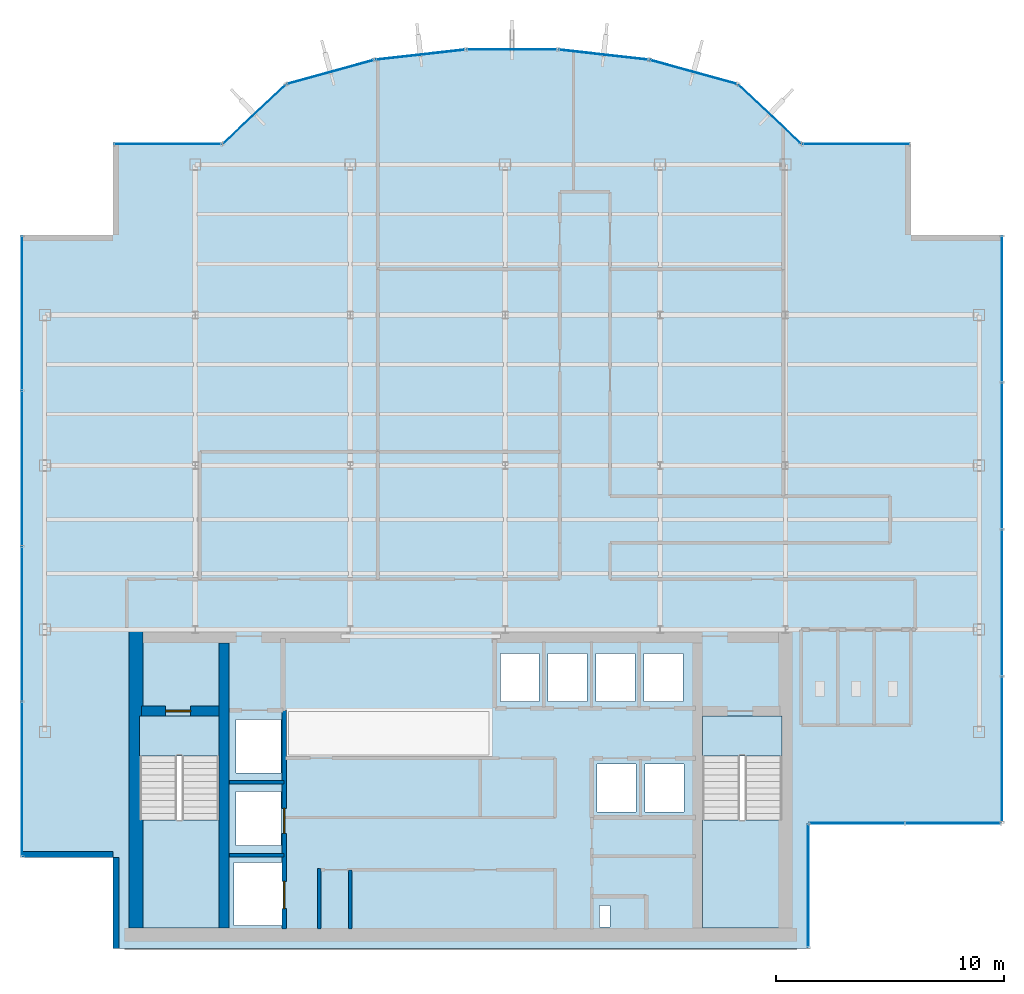
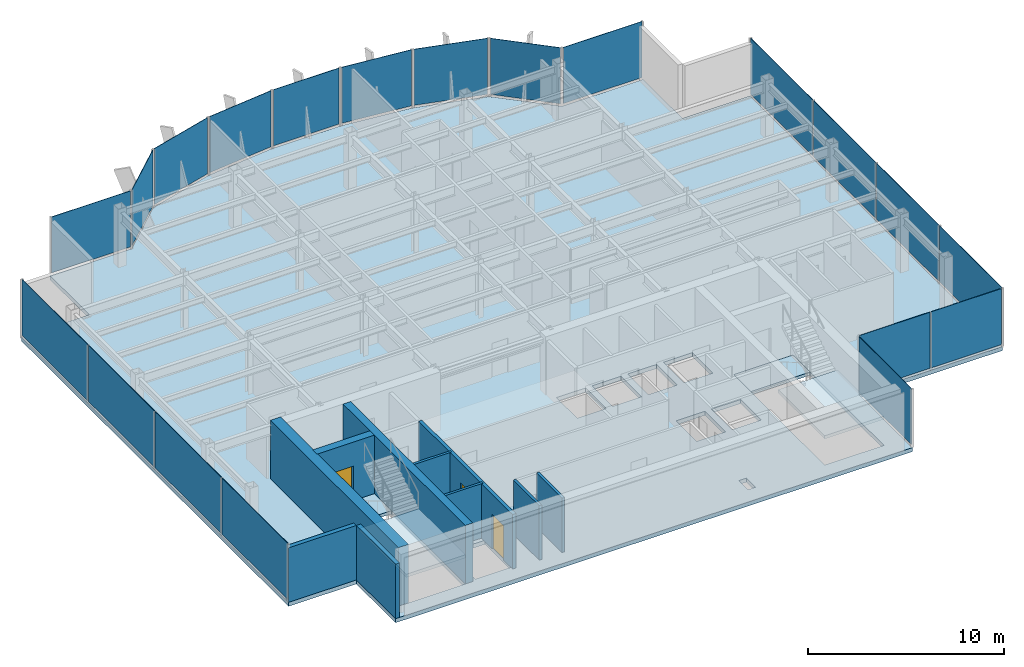
# One storey, part 16 of 22: 20 plates, 10 walls, 5 slabs, 3 doors, 3 openings, 15 elements without a shape of their own.
"""IFC4 building model written with IfcOpenShell, lengths in metres."""

from ifc_helpers import new_model, si_unit, derived_unit, direction, frame, frame_2d, origin, origin_2d, place, context, subcontext, project, spatial, polyline, rectangle, outline, extrude, source, transform, mapped, material, layer, layer_set, type_object, element, fill, aggregate, save


model = new_model("IFC4")

# Units and contexts
model_context = context("Model", 3, precision=1e-05, world=origin(), true_north=direction((0.0, 1.0)))
body_context = subcontext(model_context, "Body", "Model", "MODEL_VIEW")
ifc_project = project(units=[si_unit("LENGTHUNIT", "METRE"), si_unit("AREAUNIT", "SQUARE_METRE"), si_unit("VOLUMEUNIT", "CUBIC_METRE"), si_unit("PLANEANGLEUNIT", "RADIAN"), si_unit("MASSUNIT", "GRAM", prefix="KILO"), derived_unit("THERMALTRANSMITTANCEUNIT", [(si_unit("POWERUNIT", "WATT"), 1), (si_unit("LENGTHUNIT", "METRE"), -2), (si_unit("THERMODYNAMICTEMPERATUREUNIT", "KELVIN"), -1)])], contexts=[model_context])

# Site, building, storey
site_placement = place(None, origin())
site = spatial("IfcSite", under=ifc_project, at=site_placement, CompositionType="ELEMENT")
building_placement = place(site_placement, origin())
building = spatial("IfcBuilding", under=site, at=building_placement, Name="Skarnbrae Concourse Arena and Tower", CompositionType="ELEMENT")
storey_placement = place(building_placement, frame((0.0, 0.0, 195.89990234375)))
storey = spatial("IfcBuildingStorey", under=building, at=storey_placement, Name="L50", CompositionType="ELEMENT", Elevation=195.89990234375)

# Stair, slab
ifc_material_1 = material(Name="Concrete 40 MPa (C40/50)", Category="concrete")
stair_type = type_object("IfcStairType", Name="STAIR-DOGLEG-1650", PredefinedType="HALF_TURN_STAIR", material=ifc_material_1)
stair_1_placement = place(storey_placement, origin())
stair_1 = element("IfcStair", 1, at=stair_1_placement, inside=storey, type_object=stair_type, Name="L50 Protected Exit Stair ST-1", PredefinedType="HALF_TURN_STAIR")
ifc_layer_1 = layer(ifc_material_1, 0.199951171875)
ifc_layer_set_1 = layer_set([ifc_layer_1], Name="Concrete 40 MPa (C40/50)")
slab_type_1 = type_object("IfcSlabType", Name="SLAB-LANDING-200", PredefinedType="LANDING", material=ifc_layer_set_1)
slab_1_placement = place(storey_placement, frame((0.0, 0.0, 1.625)))
slab_1 = element("IfcSlab", 2, at=slab_1_placement, type_object=slab_type_1, Name="ST-1 landing 1", PredefinedType="LANDING", context=body_context, shape_type="SweptSolid", body=[
    extrude(outline(polyline([(5.14990234375, 5.64990234375), (5.14990234375, 0.89990234375), (8.64990234375, 0.89990234375), (8.64990234375, 5.64990234375), (5.14990234375, 5.64990234375)])), origin(), (0.0, 0.0, 1.0), 0.2001953125),
])
aggregate(stair_1, [slab_1])

stair_2_placement = place(storey_placement, origin())
stair_2 = element("IfcStair", 3, at=stair_2_placement, inside=storey, type_object=stair_type, Name="L50 Protected Exit Stair ST-2", PredefinedType="HALF_TURN_STAIR")
slab_2_placement = place(storey_placement, frame((0.0, 0.0, 1.625)))
slab_2 = element("IfcSlab", 4, at=slab_2_placement, type_object=slab_type_1, Name="ST-2 landing 1", PredefinedType="LANDING", context=body_context, shape_type="SweptSolid", body=[
    extrude(outline(polyline([(29.85009765625, 5.64990234375), (29.85009765625, 0.89990234375), (33.35009765625, 0.89990234375), (33.35009765625, 5.64990234375), (29.85009765625, 5.64990234375)])), origin(), (0.0, 0.0, 1.0), 0.2001953125),
])
aggregate(stair_2, [slab_2])

# Slabs
slab_3_placement = place(storey_placement, frame((0.0, 0.0, -0.199951171875)))
element("IfcSlab", 5, at=slab_3_placement, inside=storey, type_object=slab_type_1, Name="L50 Core stair ST1 floor landing", PredefinedType="LANDING", context=body_context, shape_type="SweptSolid", body=[
    extrude(outline(polyline([(5.14990234375, 10.199951171875), (5.14990234375, 8.449951171875), (8.64990234375, 8.449951171875), (8.64990234375, 10.199951171875), (5.14990234375, 10.199951171875)])), origin(), (0.0, 0.0, 1.0), 0.199951171875),
])
slab_4_placement = place(storey_placement, frame((0.0, 0.0, -0.199951171875)))
element("IfcSlab", 6, at=slab_4_placement, inside=storey, type_object=slab_type_1, Name="L50 Core stair ST2 floor landing", PredefinedType="LANDING", context=body_context, shape_type="SweptSolid", body=[
    extrude(outline(polyline([(29.85009765625, 10.199951171875), (29.85009765625, 8.449951171875), (33.35009765625, 8.449951171875), (33.35009765625, 10.199951171875), (29.85009765625, 10.199951171875)])), origin(), (0.0, 0.0, 1.0), 0.199951171875),
])
ifc_layer_2 = layer(ifc_material_1, 0.25)
ifc_layer_set_2 = layer_set([ifc_layer_2], Name="Concrete 40 MPa (C40/50)")
slab_type_2 = type_object("IfcSlabType", Name="SLAB-TOWER-250", PredefinedType="FLOOR", material=ifc_layer_set_2)
slab_5_placement = place(storey_placement, frame((0.0, 0.0, -0.25)))
element("IfcSlab", 7, at=slab_5_placement, inside=storey, type_object=slab_type_2, Name="L50 Structural floor slab", PredefinedType="FLOOR", context=body_context, shape_type="SweptSolid", body=[
    extrude(outline(polyline([(4.0, 0.0), (34.5, 0.0), (34.5, 5.5), (43.0, 5.5), (43.0, 31.300048828125), (39.0, 31.300048828125), (39.0, 35.300048828125), (34.199951171875, 35.300048828125), (31.40966796875, 37.9267578125), (27.52587890625, 38.9970703125), (23.51708984375, 39.44677734375), (19.48291015625, 39.44677734375), (15.47412109375, 38.9970703125), (11.59033203125, 37.9267578125), (8.800048828125, 35.300048828125), (4.0, 35.300048828125), (4.0, 31.300048828125), (0.0, 31.300048828125), (0.0, 4.0), (4.0, 4.0), (4.0, 0.0)]), holes=[polyline([(9.294921875, 1.02001953125), (9.294921875, 3.780029296875), (11.455078125, 3.780029296875), (11.455078125, 1.02001953125), (9.294921875, 1.02001953125)]), polyline([(8.64990234375, 10.199951171875), (8.64990234375, 0.89990234375), (5.14990234375, 0.89990234375), (5.14990234375, 10.199951171875), (8.64990234375, 10.199951171875)]), polyline([(9.39501953125, 6.8798828125), (11.35498046875, 6.8798828125), (11.35498046875, 4.52001953125), (9.39501953125, 4.52001953125), (9.39501953125, 6.8798828125)]), polyline([(9.39501953125, 7.695068359375), (9.39501953125, 10.054931640625), (11.35498046875, 10.054931640625), (11.35498046875, 7.695068359375), (9.39501953125, 7.695068359375)]), polyline([(20.985107421875, 12.955078125), (22.695068359375, 12.955078125), (22.695068359375, 10.844970703125), (20.985107421875, 10.844970703125), (20.985107421875, 12.955078125)]), polyline([(23.0849609375, 12.955078125), (24.794921875, 12.955078125), (24.794921875, 10.844970703125), (23.0849609375, 10.844970703125), (23.0849609375, 12.955078125)]), polyline([(25.35009765625, 0.949951171875), (25.35009765625, 1.889892578125), (25.800048828125, 1.889892578125), (25.800048828125, 0.949951171875), (25.35009765625, 0.949951171875)]), polyline([(33.35009765625, 10.199951171875), (33.35009765625, 0.89990234375), (29.85009765625, 0.89990234375), (29.85009765625, 10.199951171875), (33.35009765625, 10.199951171875)]), polyline([(25.235107421875, 8.10498046875), (26.945068359375, 8.10498046875), (26.945068359375, 5.9951171875), (25.235107421875, 5.9951171875), (25.235107421875, 8.10498046875)]), polyline([(27.3349609375, 5.9951171875), (27.3349609375, 8.10498046875), (29.044921875, 8.10498046875), (29.044921875, 5.9951171875), (27.3349609375, 5.9951171875)]), polyline([(25.18505859375, 12.955078125), (26.89501953125, 12.955078125), (26.89501953125, 10.844970703125), (25.18505859375, 10.844970703125), (25.18505859375, 12.955078125)]), polyline([(27.284912109375, 12.955078125), (28.9951171875, 12.955078125), (28.9951171875, 10.844970703125), (27.284912109375, 10.844970703125), (27.284912109375, 12.955078125)])]), origin(), (0.0, 0.0, 1.0), 0.25),
])

# Curtain wall, plate
ifc_material_2 = material(Name="Bronze anodised aluminium 6063-T6", Category="aluminium")
curtain_wall_type = type_object("IfcCurtainWallType", Name="CW-SYS-05-HIGHZONE", PredefinedType="USERDEFINED", material=ifc_material_2)
curtain_wall_1_placement = place(storey_placement, origin())
curtain_wall_1 = element("IfcCurtainWall", 8, at=curtain_wall_1_placement, inside=storey, type_object=curtain_wall_type, Name="L50 Unitised curtain wall CW-L50-E02", ObjectType="UNITISED CURTAIN WALL", PredefinedType="USERDEFINED")
ifc_material_3 = material(Name="Low-E triple insulating glass", Category="glass")
ifc_layer_3 = layer(ifc_material_3, 0.030029296875)
ifc_layer_set_3 = layer_set([ifc_layer_3], Name="Low-E triple insulating glass")
plate_type = type_object("IfcPlateType", Name="CWP-CW-05", PredefinedType="CURTAIN_PANEL", material=ifc_layer_set_3)
shared_shape_1 = source(origin(), body_context, "Body", "SweptSolid", [
    extrude(rectangle(XDim=5.35009765625, YDim=0.030029296875, at=origin_2d()), origin(), (0.0, 0.0, 1.0), 3.5),
])
plate_1_placement = place(storey_placement, frame((34.5, 2.75, 0.150146484375), z_axis=(0.0, 0.0, 1.0), x_axis=(0.0, 1.0, 0.0)))
plate_1 = element("IfcPlate", 9, at=plate_1_placement, type_object=plate_type, Name="CW-L50-E02 Low-E Glazing Panel 1", PredefinedType="CURTAIN_PANEL", context=body_context, shape_type="MappedRepresentation", body=[
    mapped(shared_shape_1, transform((0.0, 0.0, 0.0))),
])
aggregate(curtain_wall_1, [plate_1])

# Curtain wall, plates
curtain_wall_2_placement = place(storey_placement, origin())
curtain_wall_2 = element("IfcCurtainWall", 10, at=curtain_wall_2_placement, inside=storey, type_object=curtain_wall_type, Name="L50 Unitised curtain wall CW-L50-E03", ObjectType="UNITISED CURTAIN WALL", PredefinedType="USERDEFINED")
shared_shape_2 = source(origin(), body_context, "Body", "SweptSolid", [
    extrude(rectangle(XDim=4.137451171875, YDim=0.030029296875, at=origin_2d()), origin(), (0.0, 0.0, 1.0), 3.5),
])
plate_2_placement = place(storey_placement, frame((36.643798828125, 5.5, 0.150146484375), z_axis=(0.0, 0.0, 1.0), x_axis=(1.0, 0.0, 0.0)))
plate_2 = element("IfcPlate", 11, at=plate_2_placement, type_object=plate_type, Name="CW-L50-E03 Low-E Glazing Panel 1", PredefinedType="CURTAIN_PANEL", context=body_context, shape_type="MappedRepresentation", body=[
    mapped(shared_shape_2, transform((0.0, 0.0, 0.0))),
])
plate_3_placement = place(storey_placement, frame((40.856201171875, 5.5, 0.150146484375), z_axis=(0.0, 0.0, 1.0), x_axis=(1.0, 0.0, 0.0)))
plate_3 = element("IfcPlate", 12, at=plate_3_placement, type_object=plate_type, Name="CW-L50-E03 Low-E Glazing Panel 2", PredefinedType="CURTAIN_PANEL", context=body_context, shape_type="MappedRepresentation", body=[
    mapped(shared_shape_2, transform((0.0, 0.0, 0.0))),
])
aggregate(curtain_wall_2, [plate_2, plate_3])

# Curtain wall, plate
curtain_wall_3_placement = place(storey_placement, origin())
curtain_wall_3 = element("IfcCurtainWall", 13, at=curtain_wall_3_placement, inside=storey, type_object=curtain_wall_type, Name="L50 Unitised curtain wall CW-L50-E07", ObjectType="UNITISED CURTAIN WALL", PredefinedType="USERDEFINED")
shared_shape_3 = source(origin(), body_context, "Body", "SweptSolid", [
    extrude(rectangle(XDim=4.64990234375, YDim=0.030029296875, at=origin_2d()), origin(), (0.0, 0.0, 1.0), 3.5),
])
plate_4_placement = place(storey_placement, frame((36.60009765625, 35.300048828125, 0.150146484375), z_axis=(0.0, 0.0, 1.0), x_axis=(-1.0, 0.0, 0.0)))
plate_4 = element("IfcPlate", 14, at=plate_4_placement, type_object=plate_type, Name="CW-L50-E07 Low-E Glazing Panel 1", PredefinedType="CURTAIN_PANEL", context=body_context, shape_type="MappedRepresentation", body=[
    mapped(shared_shape_3, transform((0.0, 0.0, 0.0))),
])
aggregate(curtain_wall_3, [plate_4])

curtain_wall_4_placement = place(storey_placement, origin())
curtain_wall_4 = element("IfcCurtainWall", 15, at=curtain_wall_4_placement, inside=storey, type_object=curtain_wall_type, Name="L50 Unitised curtain wall CW-L50-E15", ObjectType="UNITISED CURTAIN WALL", PredefinedType="USERDEFINED")
plate_5_placement = place(storey_placement, frame((6.39990234375, 35.300048828125, 0.150146484375), z_axis=(0.0, 0.0, 1.0), x_axis=(-1.0, 0.0, 0.0)))
plate_5 = element("IfcPlate", 16, at=plate_5_placement, type_object=plate_type, Name="CW-L50-E15 Low-E Glazing Panel 1", PredefinedType="CURTAIN_PANEL", context=body_context, shape_type="MappedRepresentation", body=[
    mapped(shared_shape_3, transform((0.0, 0.0, 0.0))),
])
aggregate(curtain_wall_4, [plate_5])

curtain_wall_5_placement = place(storey_placement, origin())
curtain_wall_5 = element("IfcCurtainWall", 17, at=curtain_wall_5_placement, inside=storey, type_object=curtain_wall_type, Name="L50 Unitised curtain wall CW-L50-E08", ObjectType="UNITISED CURTAIN WALL", PredefinedType="USERDEFINED")
shared_shape_4 = source(origin(), body_context, "Body", "SweptSolid", [
    extrude(rectangle(XDim=3.68212890625, YDim=0.030029296875, at=origin_2d()), origin(), (0.0, 0.0, 1.0), 3.5),
])
plate_6_placement = place(storey_placement, frame((32.804931640625, 36.61328125, 0.150146484375), z_axis=(0.0, 0.0, 1.0), x_axis=(-0.728130555214, 0.685438468838, 0.0)))
plate_6 = element("IfcPlate", 18, at=plate_6_placement, type_object=plate_type, Name="CW-L50-E08 Low-E Glazing Panel 1", PredefinedType="CURTAIN_PANEL", context=body_context, shape_type="MappedRepresentation", body=[
    mapped(shared_shape_4, transform((0.0, 0.0, 0.0))),
])
aggregate(curtain_wall_5, [plate_6])

curtain_wall_6_placement = place(storey_placement, origin())
curtain_wall_6 = element("IfcCurtainWall", 19, at=curtain_wall_6_placement, inside=storey, type_object=curtain_wall_type, Name="L50 Unitised curtain wall CW-L50-E14", ObjectType="UNITISED CURTAIN WALL", PredefinedType="USERDEFINED")
plate_7_placement = place(storey_placement, frame((10.195068359375, 36.61328125, 0.150146484375), z_axis=(0.0, 0.0, 1.0), x_axis=(-0.728130555214, -0.685438468838, 0.0)))
plate_7 = element("IfcPlate", 20, at=plate_7_placement, type_object=plate_type, Name="CW-L50-E14 Low-E Glazing Panel 1", PredefinedType="CURTAIN_PANEL", context=body_context, shape_type="MappedRepresentation", body=[
    mapped(shared_shape_4, transform((0.0, 0.0, 0.0))),
])
aggregate(curtain_wall_6, [plate_7])

curtain_wall_7_placement = place(storey_placement, origin())
curtain_wall_7 = element("IfcCurtainWall", 21, at=curtain_wall_7_placement, inside=storey, type_object=curtain_wall_type, Name="L50 Unitised curtain wall CW-L50-E09", ObjectType="UNITISED CURTAIN WALL", PredefinedType="USERDEFINED")
shared_shape_5 = source(origin(), body_context, "Body", "SweptSolid", [
    extrude(rectangle(XDim=3.878662109375, YDim=0.030029296875, at=origin_2d()), origin(), (0.0, 0.0, 1.0), 3.5),
])
plate_8_placement = place(storey_placement, frame((29.4677734375, 38.4619140625, 0.150146484375), z_axis=(0.0, 0.0, 1.0), x_axis=(-0.964057388766, 0.265694093207, 0.0)))
plate_8 = element("IfcPlate", 22, at=plate_8_placement, type_object=plate_type, Name="CW-L50-E09 Low-E Glazing Panel 1", PredefinedType="CURTAIN_PANEL", context=body_context, shape_type="MappedRepresentation", body=[
    mapped(shared_shape_5, transform((0.0, 0.0, 0.0))),
])
aggregate(curtain_wall_7, [plate_8])

curtain_wall_8_placement = place(storey_placement, origin())
curtain_wall_8 = element("IfcCurtainWall", 23, at=curtain_wall_8_placement, inside=storey, type_object=curtain_wall_type, Name="L50 Unitised curtain wall CW-L50-E13", ObjectType="UNITISED CURTAIN WALL", PredefinedType="USERDEFINED")
plate_9_placement = place(storey_placement, frame((13.5322265625, 38.4619140625, 0.150146484375), z_axis=(0.0, 0.0, 1.0), x_axis=(-0.964057388766, -0.265694093207, 0.0)))
plate_9 = element("IfcPlate", 24, at=plate_9_placement, type_object=plate_type, Name="CW-L50-E13 Low-E Glazing Panel 1", PredefinedType="CURTAIN_PANEL", context=body_context, shape_type="MappedRepresentation", body=[
    mapped(shared_shape_5, transform((0.0, 0.0, 0.0))),
])
aggregate(curtain_wall_8, [plate_9])

curtain_wall_9_placement = place(storey_placement, origin())
curtain_wall_9 = element("IfcCurtainWall", 25, at=curtain_wall_9_placement, inside=storey, type_object=curtain_wall_type, Name="L50 Unitised curtain wall CW-L50-E10", ObjectType="UNITISED CURTAIN WALL", PredefinedType="USERDEFINED")
shared_shape_6 = source(origin(), body_context, "Body", "SweptSolid", [
    extrude(rectangle(XDim=3.8837890625, YDim=0.030029296875, at=origin_2d()), origin(), (0.0, 0.0, 1.0), 3.5),
])
plate_10_placement = place(storey_placement, frame((25.521484375, 39.221923828125, 0.150146484375), z_axis=(0.0, 0.0, 1.0), x_axis=(-0.993768891873, 0.111460259941, 0.0)))
plate_10 = element("IfcPlate", 26, at=plate_10_placement, type_object=plate_type, Name="CW-L50-E10 Low-E Glazing Panel 1", PredefinedType="CURTAIN_PANEL", context=body_context, shape_type="MappedRepresentation", body=[
    mapped(shared_shape_6, transform((0.0, 0.0, 0.0))),
])
aggregate(curtain_wall_9, [plate_10])

curtain_wall_10_placement = place(storey_placement, origin())
curtain_wall_10 = element("IfcCurtainWall", 27, at=curtain_wall_10_placement, inside=storey, type_object=curtain_wall_type, Name="L50 Unitised curtain wall CW-L50-E12", ObjectType="UNITISED CURTAIN WALL", PredefinedType="USERDEFINED")
plate_11_placement = place(storey_placement, frame((17.478515625, 39.221923828125, 0.150146484375), z_axis=(0.0, 0.0, 1.0), x_axis=(-0.993768891873, -0.111460259941, 0.0)))
plate_11 = element("IfcPlate", 28, at=plate_11_placement, type_object=plate_type, Name="CW-L50-E12 Low-E Glazing Panel 1", PredefinedType="CURTAIN_PANEL", context=body_context, shape_type="MappedRepresentation", body=[
    mapped(shared_shape_6, transform((0.0, 0.0, 0.0))),
])
aggregate(curtain_wall_10, [plate_11])

curtain_wall_11_placement = place(storey_placement, origin())
curtain_wall_11 = element("IfcCurtainWall", 29, at=curtain_wall_11_placement, inside=storey, type_object=curtain_wall_type, Name="L50 Unitised curtain wall CW-L50-E11", ObjectType="UNITISED CURTAIN WALL", PredefinedType="USERDEFINED")
shared_shape_7 = source(origin(), body_context, "Body", "SweptSolid", [
    extrude(rectangle(XDim=3.884521484375, YDim=0.030029296875, at=origin_2d()), origin(), (0.0, 0.0, 1.0), 3.5),
])
plate_12_placement = place(storey_placement, frame((21.5, 39.44677734375, 0.150146484375), z_axis=(0.0, 0.0, 1.0), x_axis=(-1.0, 0.0, 0.0)))
plate_12 = element("IfcPlate", 30, at=plate_12_placement, type_object=plate_type, Name="CW-L50-E11 Low-E Glazing Panel 1", PredefinedType="CURTAIN_PANEL", context=body_context, shape_type="MappedRepresentation", body=[
    mapped(shared_shape_7, transform((0.0, 0.0, 0.0))),
])
aggregate(curtain_wall_11, [plate_12])

# Curtain wall, plates
curtain_wall_12_placement = place(storey_placement, origin())
curtain_wall_12 = element("IfcCurtainWall", 31, at=curtain_wall_12_placement, inside=storey, type_object=curtain_wall_type, Name="L50 Unitised curtain wall CW-L50-E18", ObjectType="UNITISED CURTAIN WALL", PredefinedType="USERDEFINED")
shared_shape_8 = source(origin(), body_context, "Body", "SweptSolid", [
    extrude(rectangle(XDim=6.71240234375, YDim=0.030029296875, at=origin_2d()), origin(), (0.0, 0.0, 1.0), 3.5),
])
plate_13_placement = place(storey_placement, frame((0.0, 27.86865234375, 0.150146484375), z_axis=(0.0, 0.0, 1.0), x_axis=(0.0, -1.0, 0.0)))
plate_13 = element("IfcPlate", 32, at=plate_13_placement, type_object=plate_type, Name="CW-L50-E18 Low-E Glazing Panel 1", PredefinedType="CURTAIN_PANEL", context=body_context, shape_type="MappedRepresentation", body=[
    mapped(shared_shape_8, transform((0.0, 0.0, 0.0))),
])
plate_14_placement = place(storey_placement, frame((0.0, 7.431396484375, 0.150146484375), z_axis=(0.0, 0.0, 1.0), x_axis=(0.0, -1.0, 0.0)))
plate_14 = element("IfcPlate", 33, at=plate_14_placement, type_object=plate_type, Name="CW-L50-E18 Low-E Glazing Panel 4", PredefinedType="CURTAIN_PANEL", context=body_context, shape_type="MappedRepresentation", body=[
    mapped(shared_shape_8, transform((0.0, 0.0, 0.0))),
])
shared_shape_9 = source(origin(), body_context, "Body", "SweptSolid", [
    extrude(rectangle(XDim=6.75, YDim=0.030029296875, at=origin_2d()), origin(), (0.0, 0.0, 1.0), 3.5),
])
plate_15_placement = place(storey_placement, frame((0.0, 21.0625, 0.150146484375), z_axis=(0.0, 0.0, 1.0), x_axis=(0.0, -1.0, 0.0)))
plate_15 = element("IfcPlate", 34, at=plate_15_placement, type_object=plate_type, Name="CW-L50-E18 Low-E Glazing Panel 2", PredefinedType="CURTAIN_PANEL", context=body_context, shape_type="MappedRepresentation", body=[
    mapped(shared_shape_9, transform((0.0, 0.0, 0.0))),
])
plate_16_placement = place(storey_placement, frame((0.0, 14.237548828125, 0.150146484375), z_axis=(0.0, 0.0, 1.0), x_axis=(0.0, -1.0, 0.0)))
plate_16 = element("IfcPlate", 35, at=plate_16_placement, type_object=plate_type, Name="CW-L50-E18 Low-E Glazing Panel 3", PredefinedType="CURTAIN_PANEL", context=body_context, shape_type="MappedRepresentation", body=[
    mapped(shared_shape_9, transform((0.0, 0.0, 0.0))),
])
aggregate(curtain_wall_12, [plate_13, plate_15, plate_16, plate_14])

curtain_wall_13_placement = place(storey_placement, origin())
curtain_wall_13 = element("IfcCurtainWall", 36, at=curtain_wall_13_placement, inside=storey, type_object=curtain_wall_type, Name="L50 Unitised curtain wall CW-L50-E04", ObjectType="UNITISED CURTAIN WALL", PredefinedType="USERDEFINED")
shared_shape_10 = source(origin(), body_context, "Body", "SweptSolid", [
    extrude(rectangle(XDim=6.33740234375, YDim=0.030029296875, at=origin_2d()), origin(), (0.0, 0.0, 1.0), 3.5),
])
plate_17_placement = place(storey_placement, frame((43.0, 8.743896484375, 0.150146484375), z_axis=(0.0, 0.0, 1.0), x_axis=(0.0, 1.0, 0.0)))
plate_17 = element("IfcPlate", 37, at=plate_17_placement, type_object=plate_type, Name="CW-L50-E04 Low-E Glazing Panel 1", PredefinedType="CURTAIN_PANEL", context=body_context, shape_type="MappedRepresentation", body=[
    mapped(shared_shape_10, transform((0.0, 0.0, 0.0))),
])
plate_18_placement = place(storey_placement, frame((43.0, 28.05615234375, 0.150146484375), z_axis=(0.0, 0.0, 1.0), x_axis=(0.0, 1.0, 0.0)))
plate_18 = element("IfcPlate", 38, at=plate_18_placement, type_object=plate_type, Name="CW-L50-E04 Low-E Glazing Panel 4", PredefinedType="CURTAIN_PANEL", context=body_context, shape_type="MappedRepresentation", body=[
    mapped(shared_shape_10, transform((0.0, 0.0, 0.0))),
])
shared_shape_11 = source(origin(), body_context, "Body", "SweptSolid", [
    extrude(rectangle(XDim=6.375, YDim=0.030029296875, at=origin_2d()), origin(), (0.0, 0.0, 1.0), 3.5),
])
plate_19_placement = place(storey_placement, frame((43.0, 15.175048828125, 0.150146484375), z_axis=(0.0, 0.0, 1.0), x_axis=(0.0, 1.0, 0.0)))
plate_19 = element("IfcPlate", 39, at=plate_19_placement, type_object=plate_type, Name="CW-L50-E04 Low-E Glazing Panel 2", PredefinedType="CURTAIN_PANEL", context=body_context, shape_type="MappedRepresentation", body=[
    mapped(shared_shape_11, transform((0.0, 0.0, 0.0))),
])
plate_20_placement = place(storey_placement, frame((43.0, 21.625, 0.150146484375), z_axis=(0.0, 0.0, 1.0), x_axis=(0.0, 1.0, 0.0)))
plate_20 = element("IfcPlate", 40, at=plate_20_placement, type_object=plate_type, Name="CW-L50-E04 Low-E Glazing Panel 3", PredefinedType="CURTAIN_PANEL", context=body_context, shape_type="MappedRepresentation", body=[
    mapped(shared_shape_11, transform((0.0, 0.0, 0.0))),
])
aggregate(curtain_wall_13, [plate_17, plate_19, plate_20, plate_18])

# Wall, opening, door
ifc_material_4 = material(Name="Concrete 50 MPa (C50/60)", Category="concrete")
ifc_layer_4 = layer(ifc_material_4, 0.449951171875)
ifc_layer_set_4 = layer_set([ifc_layer_4], Name="Concrete 50 MPa (C50/60)")
wall_type_1 = type_object("IfcWallType", Name="WALL-CORE-450-C50", PredefinedType="SHEAR", material=ifc_layer_set_4)
shared_shape_12 = source(origin(), body_context, "Body", "SweptSolid", [
    extrude(rectangle(XDim=3.389892578125, YDim=0.449951171875, at=frame_2d((1.69482421875, 0.0))), origin(), (0.0, 0.0, 1.0), 3.650146484375),
])
wall_1_placement = place(storey_placement, frame((5.25, 10.419921875, 0.0), z_axis=(0.0, 0.0, 1.0), x_axis=(1.0, 0.0, 0.0)))
wall_1 = element("IfcWall", 41, at=wall_1_placement, inside=storey, type_object=wall_type_1, Name="L50 Rear core shear wall CW-ST1-N", PredefinedType="SHEAR", context=body_context, shape_type="MappedRepresentation", body=[
    mapped(shared_shape_12, transform((0.0, 0.0, 0.0))),
])
opening_1_placement = place(wall_1_placement, frame((1.050048828125, 0.0, 0.0)))
opening_1 = element("IfcOpeningElement", 42, at=opening_1_placement, cuts=wall_1, Name="Opening DT-03", PredefinedType="OPENING", context=body_context, shape_type="SweptSolid", body=[
    extrude(rectangle(XDim=1.10009765625, YDim=2.14990234375, at=frame_2d((0.550048828125, 1.074951171875))), frame((0.0, 0.23486328125, 0.0), z_axis=(0.0, -1.0, 0.0), x_axis=(1.0, 0.0, 0.0)), (0.0, 0.0, 1.0), 0.469970703125),
])
ifc_material_5 = material(Name="Steel CSA G40.21 350W", Category="steel")
door_type_1 = type_object("IfcDoorType", Name="DOOR-FIRE-1100-90M", OperationType="NOTDEFINED", PredefinedType="DOOR", material=ifc_material_5)
shared_shape_13 = source(origin(), body_context, "Body", "SweptSolid", [
    extrude(rectangle(XDim=1.10009765625, YDim=2.14990234375, at=frame_2d((0.550048828125, 1.074951171875))), frame((0.0, 0.02490234375, 0.0), z_axis=(0.0, -1.0, 0.0), x_axis=(1.0, 0.0, 0.0)), (0.0, 0.0, 1.0), 0.050048828125),
])
door_1_placement = place(opening_1_placement, frame((1.10009765625, 0.0, 0.0), z_axis=(0.0, 0.0, 1.0), x_axis=(-1.0, 0.0, 0.0)))
door_1 = element("IfcDoor", 43, at=door_1_placement, inside=storey, type_object=door_type_1, Name="D-1525 Stair ST-1 Door", OperationType="SINGLE_SWING_LEFT", OverallHeight=2.14990234375, OverallWidth=1.10009765625, PredefinedType="DOOR", context=body_context, shape_type="MappedRepresentation", body=[
    mapped(shared_shape_13, transform((0.0, 0.0, 0.0))),
])
fill(opening_1, door_1)

# Walls
ifc_layer_5 = layer(ifc_material_4, 0.60009765625)
ifc_layer_set_5 = layer_set([ifc_layer_5], Name="Concrete 50 MPa (C50/60)")
wall_type_2 = type_object("IfcWallType", Name="WALL-CORE-600-C50", PredefinedType="SHEAR", material=ifc_layer_set_5)
shared_shape_14 = source(origin(), body_context, "Body", "SweptSolid", [
    extrude(rectangle(XDim=13.10009765625, YDim=0.60009765625, at=frame_2d((6.550048828125, 0.0))), origin(), (0.0, 0.0, 1.0), 3.650146484375),
])
wall_2_placement = place(storey_placement, frame((5.0, 0.89990234375, 0.0), z_axis=(0.0, 0.0, 1.0), x_axis=(0.0, 1.0, 0.0)))
element("IfcWall", 44, at=wall_2_placement, inside=storey, type_object=wall_type_2, Name="L50 Rear core shear wall CW-W", PredefinedType="SHEAR", context=body_context, shape_type="MappedRepresentation", body=[
    mapped(shared_shape_14, transform((0.0, 0.0, 0.0))),
])
shared_shape_15 = source(origin(), body_context, "Body", "SweptSolid", [
    extrude(rectangle(XDim=12.5, YDim=0.449951171875, at=frame_2d((6.25, 0.0))), origin(), (0.0, 0.0, 1.0), 3.650146484375),
])
wall_3_placement = place(storey_placement, frame((8.864990234375, 0.89990234375, 0.0), z_axis=(0.0, 0.0, 1.0), x_axis=(0.0, 1.0, 0.0)))
element("IfcWall", 45, at=wall_3_placement, inside=storey, type_object=wall_type_1, Name="L50 Rear core shear wall CW-WEB-W", PredefinedType="SHEAR", context=body_context, shape_type="MappedRepresentation", body=[
    mapped(shared_shape_15, transform((0.0, 0.0, 0.0))),
])
ifc_material_6 = material(Name="Precast concrete 40 MPa (C40/50)", Category="concrete")
ifc_layer_6 = layer(ifc_material_6, 0.25)
ifc_layer_set_6 = layer_set([ifc_layer_6], Name="Precast concrete 40 MPa (C40/50)")
wall_type_3 = type_object("IfcWallType", Name="WALL-EXT-SPANDREL-250", PredefinedType="STANDARD", material=ifc_layer_set_6)
shared_shape_16 = source(origin(), body_context, "Body", "SweptSolid", [
    extrude(rectangle(XDim=4.0, YDim=0.25, at=frame_2d((2.0, 0.0))), origin(), (0.0, 0.0, 1.0), 3.400146484375),
])
for number, where, z_axis, x_axis, name in (
    (46, (0.0, 4.125, 0.0), (0.0, 0.0, 1.0), (1.0, 0.0, 0.0), "L50 Notched corner insulated return wall 19"),
    (47, (4.125, 4.0, 0.0), (0.0, 0.0, 1.0), (0.0, -1.0, 0.0), "L50 Notched corner insulated return wall 20"),
):
    element("IfcWall", number, at=place(storey_placement, frame(where, z_axis=z_axis, x_axis=x_axis)), inside=storey, type_object=wall_type_3, Name=name, PredefinedType="STANDARD", context=body_context, shape_type="MappedRepresentation", body=[
        mapped(shared_shape_16, transform((0.0, 0.0, 0.0))),
    ])

# Wall, openings, doors
ifc_material_7 = material(Name="Gypsum board on cold-formed steel studs", Category="steel")
ifc_layer_7 = layer(ifc_material_7, 0.199951171875)
ifc_layer_set_7 = layer_set([ifc_layer_7], Name="Gypsum board on cold-formed steel studs")
wall_type_4 = type_object("IfcWallType", Name="WALL-PART-200-2HR", PredefinedType="PARTITIONING", material=ifc_layer_set_7)
shared_shape_17 = source(origin(), body_context, "Body", "SweptSolid", [
    extrude(rectangle(XDim=9.599853515625, YDim=0.199951171875, at=frame_2d((4.7998046875, 0.0))), origin(), (0.0, 0.0, 1.0), 3.400146484375),
])
wall_4_placement = place(storey_placement, frame((11.5, 0.85009765625, 0.0), z_axis=(0.0, 0.0, 1.0), x_axis=(0.0, 1.0, 0.0)))
wall_4 = element("IfcWall", 48, at=wall_4_placement, inside=storey, type_object=wall_type_4, Name="L50 Interior partition wall W-L50-FL-E", PredefinedType="PARTITIONING", context=body_context, shape_type="MappedRepresentation", body=[
    mapped(shared_shape_17, transform((0.0, 0.0, 0.0))),
])
opening_2_placement = place(wall_4_placement, frame((4.199951171875, 0.0, 0.0)))
opening_2 = element("IfcOpeningElement", 49, at=opening_2_placement, cuts=wall_4, Name="Opening LD-01", PredefinedType="OPENING", context=body_context, shape_type="SweptSolid", body=[
    extrude(rectangle(XDim=1.10009765625, YDim=2.14990234375, at=frame_2d((0.550048828125, 1.074951171875))), frame((0.0, 0.10986328125, 0.0), z_axis=(0.0, -1.0, 0.0), x_axis=(1.0, 0.0, 0.0)), (0.0, 0.0, 1.0), 0.219970703125),
])
opening_3_placement = place(wall_4_placement, frame((0.89990234375, 0.0, 0.0)))
opening_3 = element("IfcOpeningElement", 50, at=opening_3_placement, cuts=wall_4, Name="Opening LD-02", PredefinedType="OPENING", context=body_context, shape_type="SweptSolid", body=[
    extrude(rectangle(XDim=1.199951171875, YDim=2.14990234375, at=frame_2d((0.60009765625, 1.074951171875))), frame((0.0, 0.10986328125, 0.0), z_axis=(0.0, -1.0, 0.0), x_axis=(1.0, 0.0, 0.0)), (0.0, 0.0, 1.0), 0.219970703125),
])
door_type_2 = type_object("IfcDoorType", Name="DOOR-LIFT-SLIDE-1100", OperationType="SLIDING_TO_LEFT", PredefinedType="DOOR", material=ifc_material_5)
door_2_placement = place(opening_2_placement, frame((1.10009765625, 0.0, 0.0), z_axis=(0.0, 0.0, 1.0), x_axis=(-1.0, 0.0, 0.0)))
door_2 = element("IfcDoor", 51, at=door_2_placement, inside=storey, type_object=door_type_2, Name="D-1530 Firefighting Lift Landing Door FL-02", OperationType="SLIDING_TO_LEFT", OverallHeight=2.14990234375, OverallWidth=1.10009765625, PredefinedType="DOOR", context=body_context, shape_type="MappedRepresentation", body=[
    mapped(shared_shape_13, transform((0.0, 0.0, 0.0))),
])
fill(opening_2, door_2)
door_type_3 = type_object("IfcDoorType", Name="DOOR-LIFT-SLIDE-1200", OperationType="SLIDING_TO_LEFT", PredefinedType="DOOR", material=ifc_material_5)
shared_shape_18 = source(origin(), body_context, "Body", "SweptSolid", [
    extrude(rectangle(XDim=1.199951171875, YDim=2.14990234375, at=frame_2d((0.60009765625, 1.074951171875))), frame((0.0, 0.02490234375, 0.0), z_axis=(0.0, -1.0, 0.0), x_axis=(1.0, 0.0, 0.0)), (0.0, 0.0, 1.0), 0.050048828125),
])
door_3_placement = place(opening_3_placement, frame((1.199951171875, 0.0, 0.0), z_axis=(0.0, 0.0, 1.0), x_axis=(-1.0, 0.0, 0.0)))
door_3 = element("IfcDoor", 52, at=door_3_placement, inside=storey, type_object=door_type_3, Name="D-1531 Service Lift Landing Door SV-01", OperationType="SLIDING_TO_LEFT", OverallHeight=2.14990234375, OverallWidth=1.199951171875, PredefinedType="DOOR", context=body_context, shape_type="MappedRepresentation", body=[
    mapped(shared_shape_18, transform((0.0, 0.0, 0.0))),
])
fill(opening_3, door_3)

# Walls
ifc_layer_8 = layer(ifc_material_7, 0.14990234375)
ifc_layer_set_8 = layer_set([ifc_layer_8], Name="Gypsum board on cold-formed steel studs")
wall_type_5 = type_object("IfcWallType", Name="WALL-PART-150", PredefinedType="PARTITIONING", material=ifc_layer_set_8)
shared_shape_19 = source(origin(), body_context, "Body", "SweptSolid", [
    extrude(rectangle(XDim=2.39990234375, YDim=0.14990234375, at=frame_2d((1.199951171875, 0.0))), origin(), (0.0, 0.0, 1.0), 3.400146484375),
])
for number, where, z_axis, x_axis, name in (
    (53, (9.10009765625, 4.10009765625, 0.0), (0.0, 0.0, 1.0), (1.0, 0.0, 0.0), "L50 Interior partition wall W-L50-FL-D1"),
    (54, (9.10009765625, 7.300048828125, 0.0), (0.0, 0.0, 1.0), (1.0, 0.0, 0.0), "L50 Interior partition wall W-L50-FL-D2"),
):
    element("IfcWall", number, at=place(storey_placement, frame(where, z_axis=z_axis, x_axis=x_axis)), inside=storey, type_object=wall_type_5, Name=name, PredefinedType="PARTITIONING", context=body_context, shape_type="MappedRepresentation", body=[
        mapped(shared_shape_19, transform((0.0, 0.0, 0.0))),
    ])
shared_shape_20 = source(origin(), body_context, "Body", "SweptSolid", [
    extrude(rectangle(XDim=2.599853515625, YDim=0.14990234375, at=frame_2d((1.2998046875, 0.0))), origin(), (0.0, 0.0, 1.0), 3.400146484375),
])
wall_5_placement = place(storey_placement, frame((14.39990234375, 0.85009765625, 0.0), z_axis=(0.0, 0.0, 1.0), x_axis=(0.0, 1.0, 0.0)))
element("IfcWall", 55, at=wall_5_placement, inside=storey, type_object=wall_type_5, Name="L50 Interior partition wall W-L50-B1M-C1", PredefinedType="PARTITIONING", context=body_context, shape_type="MappedRepresentation", body=[
    mapped(shared_shape_20, transform((0.0, 0.0, 0.0))),
])
ifc_layer_9 = layer(ifc_material_7, 0.14990234375)
ifc_layer_set_9 = layer_set([ifc_layer_9], Name="Gypsum board on cold-formed steel studs")
wall_type_6 = type_object("IfcWallType", Name="WALL-PART-150-1HR", PredefinedType="PARTITIONING", material=ifc_layer_set_9)
shared_shape_21 = source(origin(), body_context, "Body", "SweptSolid", [
    extrude(rectangle(XDim=2.64990234375, YDim=0.14990234375, at=frame_2d((1.324951171875, 0.0))), origin(), (0.0, 0.0, 1.0), 3.400146484375),
])
wall_6_placement = place(storey_placement, frame((13.050048828125, 0.85009765625, 0.0), z_axis=(0.0, 0.0, 1.0), x_axis=(0.0, 1.0, 0.0)))
element("IfcWall", 56, at=wall_6_placement, inside=storey, type_object=wall_type_6, Name="L50 Interior partition wall W-L50-B1M-W", PredefinedType="PARTITIONING", context=body_context, shape_type="MappedRepresentation", body=[
    mapped(shared_shape_21, transform((0.0, 0.0, 0.0))),
])

save(model, "model.ifc")
